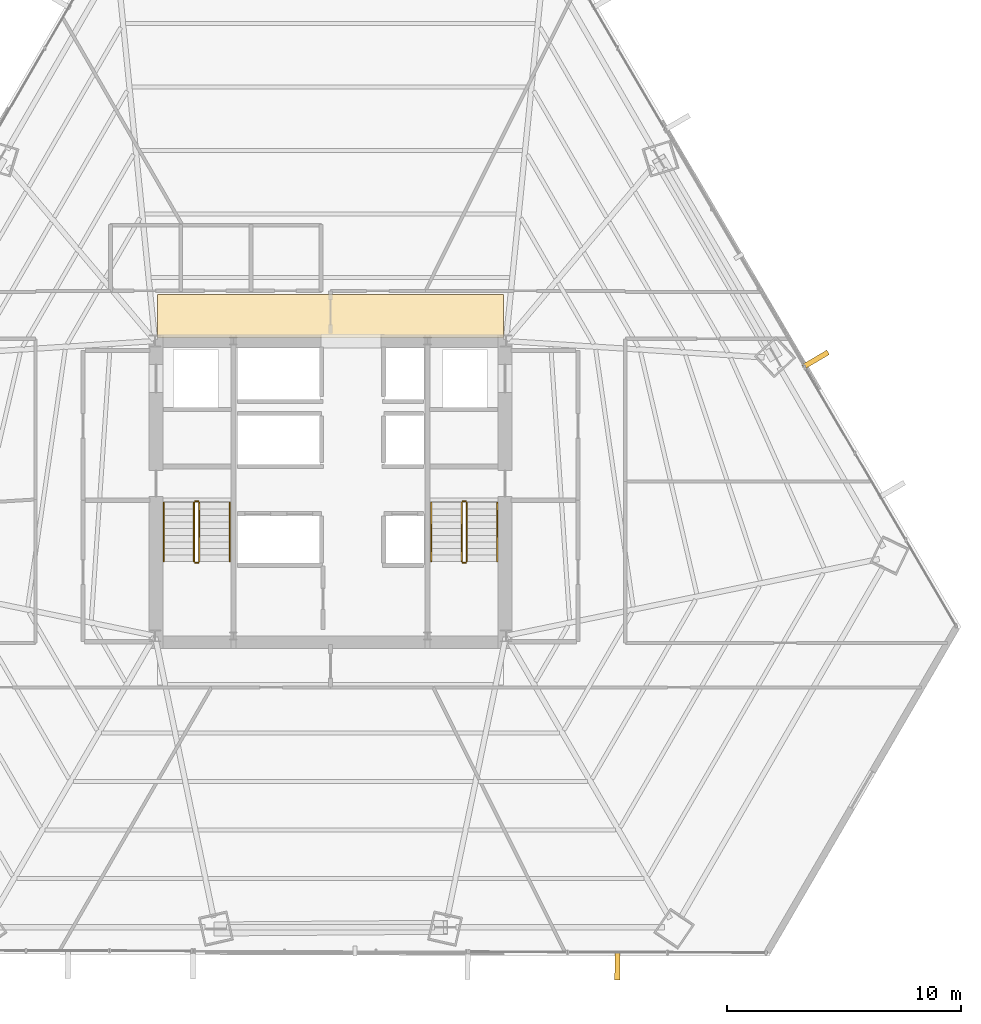
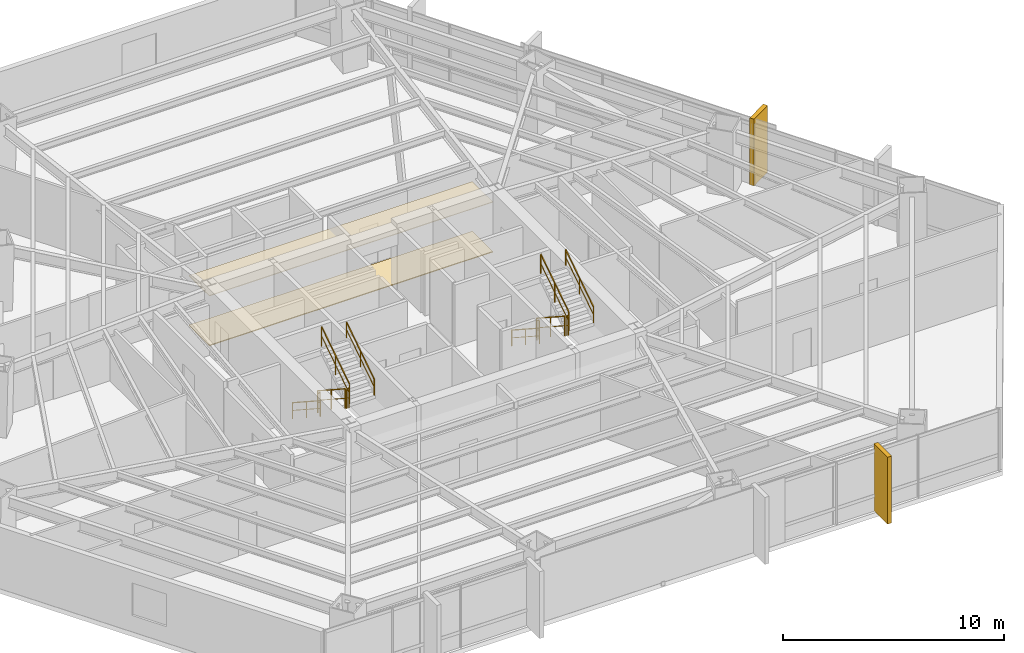
# One storey, part 28 of 29: 12 railings, 4 coverings.
"""IFC4 building model written with IfcOpenShell, lengths in metres."""

from ifc_helpers import new_model, si_unit, direction, frame, origin, origin_2d, place, context, subcontext, project, spatial, polyline, rectangle, outline, extrude, source, transform, mapped, material, layer, layer_set, type_object, type_shapes, element, save


model = new_model("IFC4")

# Units and contexts
model_context = context("Model", 3, precision=1e-05, world=origin(), true_north=direction((0.0, 1.0)))
body_context = subcontext(model_context, "Body", "Model", "MODEL_VIEW")
ifc_project = project(units=[si_unit("LENGTHUNIT", "METRE"), si_unit("AREAUNIT", "SQUARE_METRE"), si_unit("VOLUMEUNIT", "CUBIC_METRE"), si_unit("PLANEANGLEUNIT", "RADIAN"), si_unit("MASSUNIT", "GRAM", prefix="KILO")], contexts=[model_context])

# Site, building, storey
site_placement = place(None, origin())
site = spatial("IfcSite", under=ifc_project, at=site_placement, CompositionType="ELEMENT")
building_placement = place(site_placement, origin())
building = spatial("IfcBuilding", under=site, at=building_placement, Name="Caelisora Broadcast Tower", CompositionType="ELEMENT")
storey_placement = place(building_placement, frame((0.0, 0.0, 31.25)))
storey = spatial("IfcBuildingStorey", under=building, at=storey_placement, Name="L07", CompositionType="ELEMENT", Elevation=31.25)

# Coverings
ifc_material_1 = material(Name="Perforated Mineral-Fibre Acoustic Ceiling Tile", Category="gypsum")
ifc_layer_1 = layer(ifc_material_1, 0.034912109375, Name="Perforated Mineral-Fibre Acoustic Ceiling Tile")
ifc_layer_set_1 = layer_set([ifc_layer_1], Name="Perforated Mineral-Fibre Acoustic Ceiling Tile")
covering_type_1 = type_object("IfcCoveringType", Name="CE-1", PredefinedType="CEILING", material=ifc_layer_set_1)
covering_1_placement = place(storey_placement, frame((0.0, 0.0, 2.75)))
element("IfcCovering", 1, at=covering_1_placement, inside=storey, type_object=covering_type_1, Name="L07 acoustic corridor ceiling CE-1 (N)", PredefinedType="CEILING", context=body_context, shape_type="SweptSolid", body=[
    extrude(outline(polyline([(30.60009765625, 30.14990234375), (45.39990234375, 30.14990234375), (45.39990234375, 32.0), (30.60009765625, 32.0), (30.60009765625, 30.14990234375)])), origin(), (0.0, 0.0, 1.0), 0.034912109375),
])
ifc_material_2 = material(Name="Anti-Static Broadcast Raised Access Floor Panel", Category="steel")
ifc_layer_2 = layer(ifc_material_2, 0.044921875, Name="Anti-Static Broadcast Raised Access Floor Panel")
ifc_layer_set_2 = layer_set([ifc_layer_2], Name="Anti-Static Broadcast Raised Access Floor Panel")
covering_type_2 = type_object("IfcCoveringType", Name="FL-1", PredefinedType="FLOORING", material=ifc_layer_set_2)
covering_2_placement = place(storey_placement, origin())
element("IfcCovering", 2, at=covering_2_placement, inside=storey, type_object=covering_type_2, Name="L07 broadcast raised access floor FL-1 (N)", PredefinedType="FLOORING", context=body_context, shape_type="SweptSolid", body=[
    extrude(outline(polyline([(30.60009765625, 30.14990234375), (45.39990234375, 30.14990234375), (45.39990234375, 32.0), (30.60009765625, 32.0), (30.60009765625, 30.14990234375)])), origin(), (0.0, 0.0, 1.0), 0.044921875),
])

# Railings
ifc_material_3 = material(Name="Galvanised Steel Safety Guardrail", Category="steel")
ifc_layer_3 = layer(ifc_material_3, 0.048095703125, Name="Galvanised Steel Safety Guardrail")
ifc_layer_set_3 = layer_set([ifc_layer_3], Name="Galvanised Steel Safety Guardrail")
railing_type_1 = type_object("IfcRailingType", Name="GR-1", PredefinedType="GUARDRAIL", material=ifc_layer_set_3)
railing_1_placement = place(storey_placement, frame((32.169921875, 23.10009765625, 0.1826171875)))
element("IfcRailing", 3, at=railing_1_placement, inside=storey, type_object=railing_type_1, Name="L07 ST-1 stair guard 1", PredefinedType="GUARDRAIL", context=body_context, shape_type="SweptSolid", body=[
    extrude(rectangle(XDim=0.048095703125, YDim=0.048095703125, at=origin_2d()), frame((0.0, 0.0, 1.076171875), z_axis=(0.0, -0.837786554691, 0.545997883492), x_axis=(1.0, 0.0, 0.0)), (0.0, 0.0, 1.0), 3.008056640625),
    extrude(rectangle(XDim=0.03125, YDim=0.03125, at=origin_2d()), frame((0.0, 0.0, 0.550048828125), z_axis=(0.0, -0.837786554691, 0.545997883492), x_axis=(1.0, 0.0, 0.0)), (0.0, 0.0, 1.0), 3.008056640625),
    extrude(rectangle(XDim=0.0419921875, YDim=0.0419921875, at=origin_2d()), origin(), (0.0, 0.0, 1.0), 1.052001953125),
    extrude(rectangle(XDim=0.0419921875, YDim=0.0419921875, at=origin_2d()), frame((0.0, -1.260009765625, 0.8212890625)), (0.0, 0.0, 1.0), 1.052001953125),
    extrude(rectangle(XDim=0.0419921875, YDim=0.0419921875, at=origin_2d()), frame((0.0, -2.52001953125, 1.642333984375)), (0.0, 0.0, 1.0), 1.052001953125),
])
railing_2_placement = place(storey_placement, frame((32.219970703125, 20.530029296875, 1.824951171875)))
element("IfcRailing", 4, at=railing_2_placement, inside=storey, type_object=railing_type_1, Name="L07 ST-1 stair guard 2", PredefinedType="GUARDRAIL", context=body_context, shape_type="SweptSolid", body=[
    extrude(rectangle(XDim=0.048095703125, YDim=0.048095703125, at=origin_2d()), frame((0.0, 0.0, 1.076171875), z_axis=(1.0, 0.0, 0.0), x_axis=(0.0, 1.0, 0.0)), (0.0, 0.0, 1.0), 0.1201171875),
    extrude(rectangle(XDim=0.03125, YDim=0.03125, at=origin_2d()), frame((0.0, 0.0, 0.550048828125), z_axis=(1.0, 0.0, 0.0), x_axis=(0.0, 1.0, 0.0)), (0.0, 0.0, 1.0), 0.1201171875),
    extrude(rectangle(XDim=0.0419921875, YDim=0.0419921875, at=origin_2d()), origin(), (0.0, 0.0, 1.0), 1.052001953125),
    extrude(rectangle(XDim=0.0419921875, YDim=0.0419921875, at=origin_2d()), frame((0.1201171875, 0.0, 0.0)), (0.0, 0.0, 1.0), 1.052001953125),
])
railing_3_placement = place(storey_placement, frame((32.389892578125, 20.580078125, 2.007568359375)))
element("IfcRailing", 5, at=railing_3_placement, inside=storey, type_object=railing_type_1, Name="L07 ST-1 stair guard 3", PredefinedType="GUARDRAIL", context=body_context, shape_type="SweptSolid", body=[
    extrude(rectangle(XDim=0.048095703125, YDim=0.048095703125, at=origin_2d()), frame((0.0, 0.0, 1.076171875), z_axis=(0.0, 0.837786554691, 0.545997883492), x_axis=(-1.0, 0.0, 0.0)), (0.0, 0.0, 1.0), 3.008056640625),
    extrude(rectangle(XDim=0.03125, YDim=0.03125, at=origin_2d()), frame((0.0, 0.0, 0.550048828125), z_axis=(0.0, 0.837786554691, 0.545997883492), x_axis=(-1.0, 0.0, 0.0)), (0.0, 0.0, 1.0), 3.008056640625),
    extrude(rectangle(XDim=0.0419921875, YDim=0.0419921875, at=origin_2d()), origin(), (0.0, 0.0, 1.0), 1.052001953125),
    extrude(rectangle(XDim=0.0419921875, YDim=0.0419921875, at=origin_2d()), frame((0.0, 1.260009765625, 0.8212890625)), (0.0, 0.0, 1.0), 1.052001953125),
    extrude(rectangle(XDim=0.0419921875, YDim=0.0419921875, at=origin_2d()), frame((0.0, 2.52001953125, 1.642333984375)), (0.0, 0.0, 1.0), 1.052001953125),
])
railing_4_placement = place(storey_placement, frame((32.219970703125, 23.14990234375, 0.0)))
element("IfcRailing", 6, at=railing_4_placement, inside=storey, type_object=railing_type_1, Name="L07 ST-1 stair guard 4", PredefinedType="GUARDRAIL", context=body_context, shape_type="SweptSolid", body=[
    extrude(rectangle(XDim=0.048095703125, YDim=0.048095703125, at=origin_2d()), frame((0.0, 0.0, 1.076171875), z_axis=(1.0, 0.0, 0.0), x_axis=(0.0, 1.0, 0.0)), (0.0, 0.0, 1.0), 0.1201171875),
    extrude(rectangle(XDim=0.03125, YDim=0.03125, at=origin_2d()), frame((0.0, 0.0, 0.550048828125), z_axis=(1.0, 0.0, 0.0), x_axis=(0.0, 1.0, 0.0)), (0.0, 0.0, 1.0), 0.1201171875),
    extrude(rectangle(XDim=0.0419921875, YDim=0.0419921875, at=origin_2d()), origin(), (0.0, 0.0, 1.0), 1.052001953125),
    extrude(rectangle(XDim=0.0419921875, YDim=0.0419921875, at=origin_2d()), frame((0.1201171875, 0.0, 0.0)), (0.0, 0.0, 1.0), 1.052001953125),
])
railing_5_placement = place(storey_placement, frame((43.610107421875, 23.10009765625, 0.1826171875)))
element("IfcRailing", 7, at=railing_5_placement, inside=storey, type_object=railing_type_1, Name="L07 ST-2 stair guard 1", PredefinedType="GUARDRAIL", context=body_context, shape_type="SweptSolid", body=[
    extrude(rectangle(XDim=0.048095703125, YDim=0.048095703125, at=origin_2d()), frame((0.0, 0.0, 1.076171875), z_axis=(0.0, -0.837786554691, 0.545997883492), x_axis=(1.0, 0.0, 0.0)), (0.0, 0.0, 1.0), 3.008056640625),
    extrude(rectangle(XDim=0.03125, YDim=0.03125, at=origin_2d()), frame((0.0, 0.0, 0.550048828125), z_axis=(0.0, -0.837786554691, 0.545997883492), x_axis=(1.0, 0.0, 0.0)), (0.0, 0.0, 1.0), 3.008056640625),
    extrude(rectangle(XDim=0.0419921875, YDim=0.0419921875, at=origin_2d()), origin(), (0.0, 0.0, 1.0), 1.052001953125),
    extrude(rectangle(XDim=0.0419921875, YDim=0.0419921875, at=origin_2d()), frame((0.0, -1.260009765625, 0.8212890625)), (0.0, 0.0, 1.0), 1.052001953125),
    extrude(rectangle(XDim=0.0419921875, YDim=0.0419921875, at=origin_2d()), frame((0.0, -2.52001953125, 1.642333984375)), (0.0, 0.0, 1.0), 1.052001953125),
])
railing_6_placement = place(storey_placement, frame((43.659912109375, 20.530029296875, 1.824951171875)))
element("IfcRailing", 8, at=railing_6_placement, inside=storey, type_object=railing_type_1, Name="L07 ST-2 stair guard 2", PredefinedType="GUARDRAIL", context=body_context, shape_type="SweptSolid", body=[
    extrude(rectangle(XDim=0.048095703125, YDim=0.048095703125, at=origin_2d()), frame((0.0, 0.0, 1.076171875), z_axis=(1.0, 0.0, 0.0), x_axis=(0.0, 1.0, 0.0)), (0.0, 0.0, 1.0), 0.1201171875),
    extrude(rectangle(XDim=0.03125, YDim=0.03125, at=origin_2d()), frame((0.0, 0.0, 0.550048828125), z_axis=(1.0, 0.0, 0.0), x_axis=(0.0, 1.0, 0.0)), (0.0, 0.0, 1.0), 0.1201171875),
    extrude(rectangle(XDim=0.0419921875, YDim=0.0419921875, at=origin_2d()), origin(), (0.0, 0.0, 1.0), 1.052001953125),
    extrude(rectangle(XDim=0.0419921875, YDim=0.0419921875, at=origin_2d()), frame((0.1201171875, 0.0, 0.0)), (0.0, 0.0, 1.0), 1.052001953125),
])
railing_7_placement = place(storey_placement, frame((43.830078125, 20.580078125, 2.007568359375)))
element("IfcRailing", 9, at=railing_7_placement, inside=storey, type_object=railing_type_1, Name="L07 ST-2 stair guard 3", PredefinedType="GUARDRAIL", context=body_context, shape_type="SweptSolid", body=[
    extrude(rectangle(XDim=0.048095703125, YDim=0.048095703125, at=origin_2d()), frame((0.0, 0.0, 1.076171875), z_axis=(0.0, 0.837786554691, 0.545997883492), x_axis=(-1.0, 0.0, 0.0)), (0.0, 0.0, 1.0), 3.008056640625),
    extrude(rectangle(XDim=0.03125, YDim=0.03125, at=origin_2d()), frame((0.0, 0.0, 0.550048828125), z_axis=(0.0, 0.837786554691, 0.545997883492), x_axis=(-1.0, 0.0, 0.0)), (0.0, 0.0, 1.0), 3.008056640625),
    extrude(rectangle(XDim=0.0419921875, YDim=0.0419921875, at=origin_2d()), origin(), (0.0, 0.0, 1.0), 1.052001953125),
    extrude(rectangle(XDim=0.0419921875, YDim=0.0419921875, at=origin_2d()), frame((0.0, 1.260009765625, 0.8212890625)), (0.0, 0.0, 1.0), 1.052001953125),
    extrude(rectangle(XDim=0.0419921875, YDim=0.0419921875, at=origin_2d()), frame((0.0, 2.52001953125, 1.642333984375)), (0.0, 0.0, 1.0), 1.052001953125),
])
railing_8_placement = place(storey_placement, frame((43.659912109375, 23.14990234375, 0.0)))
element("IfcRailing", 10, at=railing_8_placement, inside=storey, type_object=railing_type_1, Name="L07 ST-2 stair guard 4", PredefinedType="GUARDRAIL", context=body_context, shape_type="SweptSolid", body=[
    extrude(rectangle(XDim=0.048095703125, YDim=0.048095703125, at=origin_2d()), frame((0.0, 0.0, 1.076171875), z_axis=(1.0, 0.0, 0.0), x_axis=(0.0, 1.0, 0.0)), (0.0, 0.0, 1.0), 0.1201171875),
    extrude(rectangle(XDim=0.03125, YDim=0.03125, at=origin_2d()), frame((0.0, 0.0, 0.550048828125), z_axis=(1.0, 0.0, 0.0), x_axis=(0.0, 1.0, 0.0)), (0.0, 0.0, 1.0), 0.1201171875),
    extrude(rectangle(XDim=0.0419921875, YDim=0.0419921875, at=origin_2d()), origin(), (0.0, 0.0, 1.0), 1.052001953125),
    extrude(rectangle(XDim=0.0419921875, YDim=0.0419921875, at=origin_2d()), frame((0.1201171875, 0.0, 0.0)), (0.0, 0.0, 1.0), 1.052001953125),
])
ifc_material_4 = material(Name="Stainless Steel Grade 316 Tubular Handrail", Category="steel")
ifc_layer_4 = layer(ifc_material_4, 0.048095703125, Name="Stainless Steel Grade 316 Tubular Handrail")
ifc_layer_set_4 = layer_set([ifc_layer_4], Name="Stainless Steel Grade 316 Tubular Handrail")
railing_type_2 = type_object("IfcRailingType", Name="HR-1", PredefinedType="HANDRAIL", material=ifc_layer_set_4)
railing_9_placement = place(storey_placement, frame((30.8701171875, 23.10009765625, 0.1826171875)))
element("IfcRailing", 11, at=railing_9_placement, inside=storey, type_object=railing_type_2, Name="L07 ST-1 stair handrail 1", PredefinedType="HANDRAIL", context=body_context, shape_type="SweptSolid", body=[
    extrude(rectangle(XDim=0.048095703125, YDim=0.048095703125, at=origin_2d()), frame((0.0, 0.0, 0.8759765625), z_axis=(0.0, -0.837786554691, 0.545997883492), x_axis=(1.0, 0.0, 0.0)), (0.0, 0.0, 1.0), 3.008056640625),
    extrude(rectangle(XDim=0.03125, YDim=0.03125, at=origin_2d()), frame((0.0, 0.0, 0.449951171875), z_axis=(0.0, -0.837786554691, 0.545997883492), x_axis=(1.0, 0.0, 0.0)), (0.0, 0.0, 1.0), 3.008056640625),
    extrude(rectangle(XDim=0.0419921875, YDim=0.0419921875, at=origin_2d()), origin(), (0.0, 0.0, 1.0), 0.851806640625),
    extrude(rectangle(XDim=0.0419921875, YDim=0.0419921875, at=origin_2d()), frame((0.0, -1.260009765625, 0.8212890625)), (0.0, 0.0, 1.0), 0.851806640625),
    extrude(rectangle(XDim=0.0419921875, YDim=0.0419921875, at=origin_2d()), frame((0.0, -2.52001953125, 1.642333984375)), (0.0, 0.0, 1.0), 0.851806640625),
])
railing_10_placement = place(storey_placement, frame((33.68994140625, 20.580078125, 2.007568359375)))
element("IfcRailing", 12, at=railing_10_placement, inside=storey, type_object=railing_type_2, Name="L07 ST-1 stair handrail 2", PredefinedType="HANDRAIL", context=body_context, shape_type="SweptSolid", body=[
    extrude(rectangle(XDim=0.048095703125, YDim=0.048095703125, at=origin_2d()), frame((0.0, 0.0, 0.8759765625), z_axis=(0.0, 0.837786554691, 0.545997883492), x_axis=(-1.0, 0.0, 0.0)), (0.0, 0.0, 1.0), 3.008056640625),
    extrude(rectangle(XDim=0.03125, YDim=0.03125, at=origin_2d()), frame((0.0, 0.0, 0.449951171875), z_axis=(0.0, 0.837786554691, 0.545997883492), x_axis=(-1.0, 0.0, 0.0)), (0.0, 0.0, 1.0), 3.008056640625),
    extrude(rectangle(XDim=0.0419921875, YDim=0.0419921875, at=origin_2d()), origin(), (0.0, 0.0, 1.0), 0.851806640625),
    extrude(rectangle(XDim=0.0419921875, YDim=0.0419921875, at=origin_2d()), frame((0.0, 1.260009765625, 0.8212890625)), (0.0, 0.0, 1.0), 0.851806640625),
    extrude(rectangle(XDim=0.0419921875, YDim=0.0419921875, at=origin_2d()), frame((0.0, 2.52001953125, 1.642333984375)), (0.0, 0.0, 1.0), 0.851806640625),
])
railing_11_placement = place(storey_placement, frame((42.31005859375, 23.10009765625, 0.1826171875)))
element("IfcRailing", 13, at=railing_11_placement, inside=storey, type_object=railing_type_2, Name="L07 ST-2 stair handrail 1", PredefinedType="HANDRAIL", context=body_context, shape_type="SweptSolid", body=[
    extrude(rectangle(XDim=0.048095703125, YDim=0.048095703125, at=origin_2d()), frame((0.0, 0.0, 0.8759765625), z_axis=(0.0, -0.837786554691, 0.545997883492), x_axis=(1.0, 0.0, 0.0)), (0.0, 0.0, 1.0), 3.008056640625),
    extrude(rectangle(XDim=0.03125, YDim=0.03125, at=origin_2d()), frame((0.0, 0.0, 0.449951171875), z_axis=(0.0, -0.837786554691, 0.545997883492), x_axis=(1.0, 0.0, 0.0)), (0.0, 0.0, 1.0), 3.008056640625),
    extrude(rectangle(XDim=0.0419921875, YDim=0.0419921875, at=origin_2d()), origin(), (0.0, 0.0, 1.0), 0.851806640625),
    extrude(rectangle(XDim=0.0419921875, YDim=0.0419921875, at=origin_2d()), frame((0.0, -1.260009765625, 0.8212890625)), (0.0, 0.0, 1.0), 0.851806640625),
    extrude(rectangle(XDim=0.0419921875, YDim=0.0419921875, at=origin_2d()), frame((0.0, -2.52001953125, 1.642333984375)), (0.0, 0.0, 1.0), 0.851806640625),
])
railing_12_placement = place(storey_placement, frame((45.1298828125, 20.580078125, 2.007568359375)))
element("IfcRailing", 14, at=railing_12_placement, inside=storey, type_object=railing_type_2, Name="L07 ST-2 stair handrail 2", PredefinedType="HANDRAIL", context=body_context, shape_type="SweptSolid", body=[
    extrude(rectangle(XDim=0.048095703125, YDim=0.048095703125, at=origin_2d()), frame((0.0, 0.0, 0.8759765625), z_axis=(0.0, 0.837786554691, 0.545997883492), x_axis=(-1.0, 0.0, 0.0)), (0.0, 0.0, 1.0), 3.008056640625),
    extrude(rectangle(XDim=0.03125, YDim=0.03125, at=origin_2d()), frame((0.0, 0.0, 0.449951171875), z_axis=(0.0, 0.837786554691, 0.545997883492), x_axis=(-1.0, 0.0, 0.0)), (0.0, 0.0, 1.0), 3.008056640625),
    extrude(rectangle(XDim=0.0419921875, YDim=0.0419921875, at=origin_2d()), origin(), (0.0, 0.0, 1.0), 0.851806640625),
    extrude(rectangle(XDim=0.0419921875, YDim=0.0419921875, at=origin_2d()), frame((0.0, 1.260009765625, 0.8212890625)), (0.0, 0.0, 1.0), 0.851806640625),
    extrude(rectangle(XDim=0.0419921875, YDim=0.0419921875, at=origin_2d()), frame((0.0, 2.52001953125, 1.642333984375)), (0.0, 0.0, 1.0), 0.851806640625),
])

# Coverings
ifc_material_5 = material(Name="Kiln-Fired Terracotta Spandrel Rainscreen Cladding", Category="ceramic")
ifc_layer_5 = layer(ifc_material_5, 0.044921875, Name="Kiln-Fired Terracotta Spandrel Rainscreen Cladding")
ifc_layer_set_5 = layer_set([ifc_layer_5], Name="Kiln-Fired Terracotta Spandrel Rainscreen Cladding")
covering_type_3 = type_object("IfcCoveringType", Name="CL-1", PredefinedType="CLADDING", material=ifc_layer_set_5)
shared_shape = source(origin(), body_context, "Body", "SweptSolid", [
    extrude(rectangle(XDim=0.219970703125, YDim=1.25, at=origin_2d()), origin(), (0.0, 0.0, 1.0), 3.68994140625),
])
type_shapes(covering_type_3, [shared_shape])
for number, where, z_axis, x_axis, name in (
    (15, (58.730712890625, 29.202880859375, -0.02001953125), (0.0, 0.0, 1.0), (0.505582083675, -0.862778509623, 0.0), "L07 vertical solar fin cladding #1-3"),
    (16, (50.261962890625, 3.316650390625, -0.02001953125), (0.0, 0.0, 1.0), (-0.9999961009, 0.002792523174, 0.0), "L07 vertical solar fin cladding #2-1"),
):
    element("IfcCovering", number, at=place(storey_placement, frame(where, z_axis=z_axis, x_axis=x_axis)), inside=storey, type_object=covering_type_3, Name=name, PredefinedType="CLADDING", context=body_context, shape_type="MappedRepresentation", body=[
        mapped(shared_shape, transform((0.0, 0.0, 0.0), scale=1.0)),
    ])

save(model, "model.ifc")
